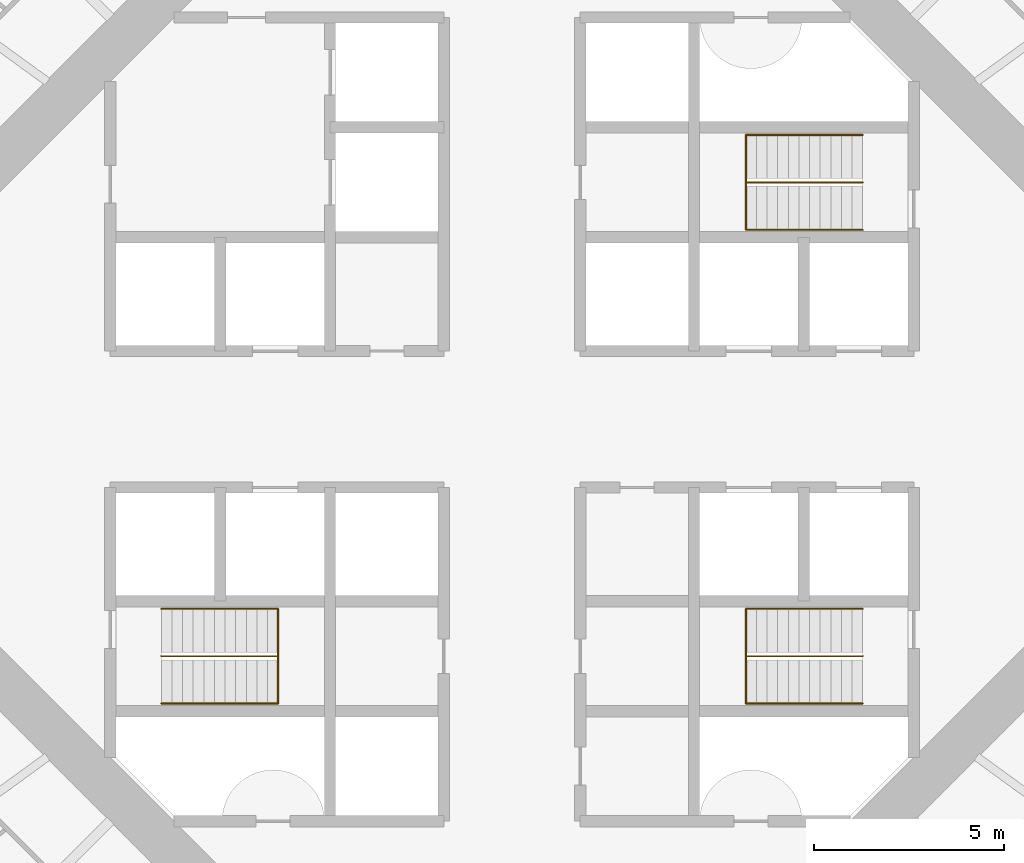
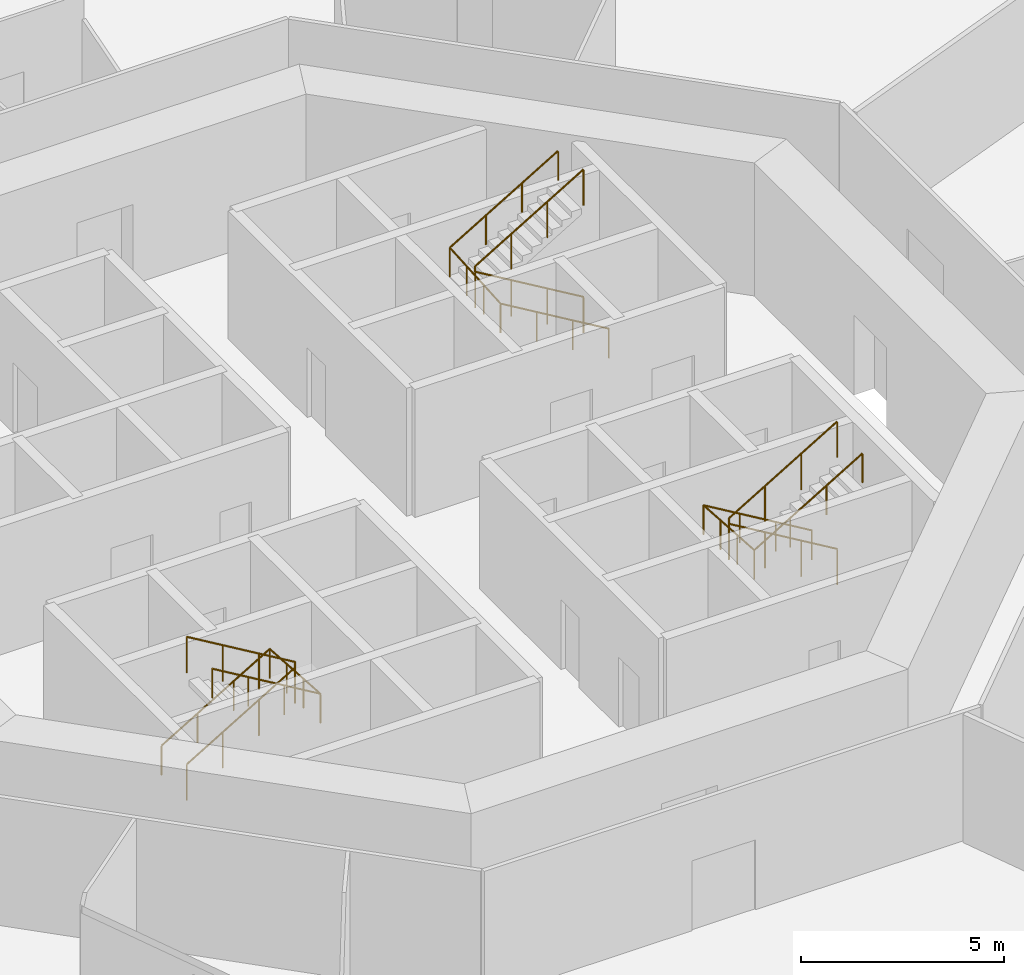
# One storey, part 13 of 13: 6 railings.
"""IFC4 building model written with IfcOpenShell, lengths in metres."""

from ifc_helpers import new_model, si_unit, direction, frame, origin, origin_2d, place, context, subcontext, project, spatial, circle, extrude, material, type_object, element, save


model = new_model("IFC4")

# Units and contexts
model_context = context("Model", 3, precision=1e-05, world=origin(), true_north=direction((0.0, 1.0)))
body_context = subcontext(model_context, "Body", "Model", "MODEL_VIEW")
ifc_project = project(units=[si_unit("LENGTHUNIT", "METRE"), si_unit("AREAUNIT", "SQUARE_METRE"), si_unit("VOLUMEUNIT", "CUBIC_METRE"), si_unit("PLANEANGLEUNIT", "RADIAN"), si_unit("MASSUNIT", "GRAM", prefix="KILO")], contexts=[model_context])

# Site, building, storey
site_placement = place(None, origin())
site = spatial("IfcSite", under=ifc_project, at=site_placement, CompositionType="ELEMENT")
building_placement = place(site_placement, origin())
building = spatial("IfcBuilding", under=site, at=building_placement, Name="Entoto Ring Tower", CompositionType="ELEMENT")
storey_placement = place(building_placement, frame((0.0, 0.0, 108.0)))
storey = spatial("IfcBuildingStorey", under=building, at=storey_placement, Name="L24", CompositionType="ELEMENT", Elevation=108.0)

# Railings
ifc_material_1 = material(Name="Steel S275", Category="steel")
railing_type_1 = type_object("IfcRailingType", Name="Stair guard 1100 mm steel", PredefinedType="GUARDRAIL", material=ifc_material_1)
railing_1_placement = place(storey_placement, frame((99.25, 86.25, 0.166748046875)))
element("IfcRailing", 1, at=railing_1_placement, inside=storey, type_object=railing_type_1, Name="Guard ST1", PredefinedType="GUARDRAIL", context=body_context, shape_type="SweptSolid", body=[
    extrude(circle(Radius=0.02392578125, at=origin_2d()), frame((0.0, 0.0, 1.076171875), z_axis=(-0.859308565015, 0.0, 0.511457515432), x_axis=(0.0, -1.0, 0.0)), (0.0, 0.0, 1.0), 3.58447265625),
    extrude(circle(Radius=0.02392578125, at=origin_2d()), frame((-3.080078125, 0.0, 2.9091796875), z_axis=(0.0, 0.0, 1.0), x_axis=(1.0, 0.0, 0.0)), (0.0, 0.0, 1.0), 0.166748046875),
    extrude(circle(Radius=0.02392578125, at=origin_2d()), frame((-3.080078125, 0.0, 3.076171875), z_axis=(0.859308565015, 0.0, 0.511457515432), x_axis=(0.0, 1.0, 0.0)), (0.0, 0.0, 1.0), 3.58447265625),
    extrude(circle(Radius=0.02099609375, at=origin_2d()), origin(), (0.0, 0.0, 1.0), 1.052001953125),
    extrude(circle(Radius=0.02099609375, at=origin_2d()), frame((-1.026611328125, 0.0, 0.611083984375)), (0.0, 0.0, 1.0), 1.052001953125),
    extrude(circle(Radius=0.02099609375, at=origin_2d()), frame((-2.053466796875, 0.0, 1.22216796875)), (0.0, 0.0, 1.0), 1.052001953125),
    extrude(circle(Radius=0.02099609375, at=origin_2d()), frame((-3.080078125, 0.0, 1.833251953125)), (0.0, 0.0, 1.0), 1.052001953125),
    extrude(circle(Radius=0.02099609375, at=origin_2d()), frame((-3.080078125, 0.0, 2.0)), (0.0, 0.0, 1.0), 1.052001953125),
    extrude(circle(Radius=0.02099609375, at=origin_2d()), frame((-2.053466796875, 0.0, 2.611083984375)), (0.0, 0.0, 1.0), 1.052001953125),
    extrude(circle(Radius=0.02099609375, at=origin_2d()), frame((-1.026611328125, 0.0, 3.22216796875)), (0.0, 0.0, 1.0), 1.052001953125),
    extrude(circle(Radius=0.02099609375, at=origin_2d()), frame((0.0, 0.0, 3.833251953125)), (0.0, 0.0, 1.0), 1.052001953125),
])
railing_2_placement = place(storey_placement, frame((80.75, 73.75, 0.166748046875)))
element("IfcRailing", 2, at=railing_2_placement, inside=storey, type_object=railing_type_1, Name="Guard ST2", PredefinedType="GUARDRAIL", context=body_context, shape_type="SweptSolid", body=[
    extrude(circle(Radius=0.02392578125, at=origin_2d()), frame((0.0, 0.0, 1.076171875), z_axis=(0.859308565015, 0.0, 0.511457515432), x_axis=(0.0, 1.0, 0.0)), (0.0, 0.0, 1.0), 3.58447265625),
    extrude(circle(Radius=0.02392578125, at=origin_2d()), frame((3.080078125, 0.0, 2.9091796875), z_axis=(0.0, 0.0, 1.0), x_axis=(1.0, 0.0, 0.0)), (0.0, 0.0, 1.0), 0.166748046875),
    extrude(circle(Radius=0.02392578125, at=origin_2d()), frame((3.080078125, 0.0, 3.076171875), z_axis=(-0.859308565015, 0.0, 0.511457515432), x_axis=(0.0, -1.0, 0.0)), (0.0, 0.0, 1.0), 3.58447265625),
    extrude(circle(Radius=0.02099609375, at=origin_2d()), origin(), (0.0, 0.0, 1.0), 1.052001953125),
    extrude(circle(Radius=0.02099609375, at=origin_2d()), frame((1.026611328125, 0.0, 0.611083984375)), (0.0, 0.0, 1.0), 1.052001953125),
    extrude(circle(Radius=0.02099609375, at=origin_2d()), frame((2.053466796875, 0.0, 1.22216796875)), (0.0, 0.0, 1.0), 1.052001953125),
    extrude(circle(Radius=0.02099609375, at=origin_2d()), frame((3.080078125, 0.0, 1.833251953125)), (0.0, 0.0, 1.0), 1.052001953125),
    extrude(circle(Radius=0.02099609375, at=origin_2d()), frame((3.080078125, 0.0, 2.0)), (0.0, 0.0, 1.0), 1.052001953125),
    extrude(circle(Radius=0.02099609375, at=origin_2d()), frame((2.053466796875, 0.0, 2.611083984375)), (0.0, 0.0, 1.0), 1.052001953125),
    extrude(circle(Radius=0.02099609375, at=origin_2d()), frame((1.026611328125, 0.0, 3.22216796875)), (0.0, 0.0, 1.0), 1.052001953125),
    extrude(circle(Radius=0.02099609375, at=origin_2d()), frame((0.0, 0.0, 3.833251953125)), (0.0, 0.0, 1.0), 1.052001953125),
])
railing_3_placement = place(storey_placement, frame((99.25, 73.75, 0.166748046875)))
element("IfcRailing", 3, at=railing_3_placement, inside=storey, type_object=railing_type_1, Name="Guard ST3", PredefinedType="GUARDRAIL", context=body_context, shape_type="SweptSolid", body=[
    extrude(circle(Radius=0.02392578125, at=origin_2d()), frame((0.0, 0.0, 1.076171875), z_axis=(-0.859308565015, 0.0, 0.511457515432), x_axis=(0.0, -1.0, 0.0)), (0.0, 0.0, 1.0), 3.58447265625),
    extrude(circle(Radius=0.02392578125, at=origin_2d()), frame((-3.080078125, 0.0, 2.9091796875), z_axis=(0.0, 0.0, 1.0), x_axis=(1.0, 0.0, 0.0)), (0.0, 0.0, 1.0), 0.166748046875),
    extrude(circle(Radius=0.02392578125, at=origin_2d()), frame((-3.080078125, 0.0, 3.076171875), z_axis=(0.859308565015, 0.0, 0.511457515432), x_axis=(0.0, 1.0, 0.0)), (0.0, 0.0, 1.0), 3.58447265625),
    extrude(circle(Radius=0.02099609375, at=origin_2d()), origin(), (0.0, 0.0, 1.0), 1.052001953125),
    extrude(circle(Radius=0.02099609375, at=origin_2d()), frame((-1.026611328125, 0.0, 0.611083984375)), (0.0, 0.0, 1.0), 1.052001953125),
    extrude(circle(Radius=0.02099609375, at=origin_2d()), frame((-2.053466796875, 0.0, 1.22216796875)), (0.0, 0.0, 1.0), 1.052001953125),
    extrude(circle(Radius=0.02099609375, at=origin_2d()), frame((-3.080078125, 0.0, 1.833251953125)), (0.0, 0.0, 1.0), 1.052001953125),
    extrude(circle(Radius=0.02099609375, at=origin_2d()), frame((-3.080078125, 0.0, 2.0)), (0.0, 0.0, 1.0), 1.052001953125),
    extrude(circle(Radius=0.02099609375, at=origin_2d()), frame((-2.053466796875, 0.0, 2.611083984375)), (0.0, 0.0, 1.0), 1.052001953125),
    extrude(circle(Radius=0.02099609375, at=origin_2d()), frame((-1.026611328125, 0.0, 3.22216796875)), (0.0, 0.0, 1.0), 1.052001953125),
    extrude(circle(Radius=0.02099609375, at=origin_2d()), frame((0.0, 0.0, 3.833251953125)), (0.0, 0.0, 1.0), 1.052001953125),
])
ifc_material_2 = material(Name="Steel S275", Category="steel")
railing_type_2 = type_object("IfcRailingType", Name="Stair handrail 900 mm steel", PredefinedType="HANDRAIL", material=ifc_material_2)
railing_4_placement = place(storey_placement, frame((99.25, 85.0, 0.166748046875)))
element("IfcRailing", 4, at=railing_4_placement, inside=storey, type_object=railing_type_2, Name="Handrail ST1", PredefinedType="HANDRAIL", context=body_context, shape_type="SweptSolid", body=[
    extrude(circle(Radius=0.02392578125, at=origin_2d()), frame((0.0, 0.0, 0.8759765625), z_axis=(-0.859308565015, 0.0, 0.511457515432), x_axis=(0.0, -1.0, 0.0)), (0.0, 0.0, 1.0), 3.58447265625),
    extrude(circle(Radius=0.02392578125, at=origin_2d()), frame((-3.080078125, 0.0, 2.708984375), z_axis=(0.0, 0.997783001586, 0.066551346688), x_axis=(-1.0, 0.0, 0.0)), (0.0, 0.0, 1.0), 2.505615234375),
    extrude(circle(Radius=0.02392578125, at=origin_2d()), frame((-3.080078125, 2.5, 2.8759765625), z_axis=(0.859308565015, 0.0, 0.511457515432), x_axis=(0.0, 1.0, 0.0)), (0.0, 0.0, 1.0), 3.58447265625),
    extrude(circle(Radius=0.02099609375, at=origin_2d()), origin(), (0.0, 0.0, 1.0), 0.851806640625),
    extrude(circle(Radius=0.02099609375, at=origin_2d()), frame((-1.026611328125, 0.0, 0.611083984375)), (0.0, 0.0, 1.0), 0.851806640625),
    extrude(circle(Radius=0.02099609375, at=origin_2d()), frame((-2.053466796875, 0.0, 1.22216796875)), (0.0, 0.0, 1.0), 0.851806640625),
    extrude(circle(Radius=0.02099609375, at=origin_2d()), frame((-3.080078125, 0.0, 1.833251953125)), (0.0, 0.0, 1.0), 0.851806640625),
    extrude(circle(Radius=0.02099609375, at=origin_2d()), frame((-3.080078125, 0.833251953125, 1.888916015625)), (0.0, 0.0, 1.0), 0.851806640625),
    extrude(circle(Radius=0.02099609375, at=origin_2d()), frame((-3.080078125, 1.666748046875, 1.9443359375)), (0.0, 0.0, 1.0), 0.851806640625),
    extrude(circle(Radius=0.02099609375, at=origin_2d()), frame((-3.080078125, 2.5, 2.0)), (0.0, 0.0, 1.0), 0.851806640625),
    extrude(circle(Radius=0.02099609375, at=origin_2d()), frame((-2.053466796875, 2.5, 2.611083984375)), (0.0, 0.0, 1.0), 0.851806640625),
    extrude(circle(Radius=0.02099609375, at=origin_2d()), frame((-1.026611328125, 2.5, 3.22216796875)), (0.0, 0.0, 1.0), 0.851806640625),
    extrude(circle(Radius=0.02099609375, at=origin_2d()), frame((0.0, 2.5, 3.833251953125)), (0.0, 0.0, 1.0), 0.851806640625),
])
railing_5_placement = place(storey_placement, frame((80.75, 75.0, 0.166748046875)))
element("IfcRailing", 5, at=railing_5_placement, inside=storey, type_object=railing_type_2, Name="Handrail ST2", PredefinedType="HANDRAIL", context=body_context, shape_type="SweptSolid", body=[
    extrude(circle(Radius=0.02392578125, at=origin_2d()), frame((0.0, 0.0, 0.8759765625), z_axis=(0.859308565015, 0.0, 0.511457515432), x_axis=(0.0, 1.0, 0.0)), (0.0, 0.0, 1.0), 3.58447265625),
    extrude(circle(Radius=0.02392578125, at=origin_2d()), frame((3.080078125, 0.0, 2.708984375), z_axis=(0.0, -0.997783001586, 0.066551346688), x_axis=(1.0, 0.0, 0.0)), (0.0, 0.0, 1.0), 2.505615234375),
    extrude(circle(Radius=0.02392578125, at=origin_2d()), frame((3.080078125, -2.5, 2.8759765625), z_axis=(-0.859308565015, 0.0, 0.511457515432), x_axis=(0.0, -1.0, 0.0)), (0.0, 0.0, 1.0), 3.58447265625),
    extrude(circle(Radius=0.02099609375, at=origin_2d()), origin(), (0.0, 0.0, 1.0), 0.851806640625),
    extrude(circle(Radius=0.02099609375, at=origin_2d()), frame((1.026611328125, 0.0, 0.611083984375)), (0.0, 0.0, 1.0), 0.851806640625),
    extrude(circle(Radius=0.02099609375, at=origin_2d()), frame((2.053466796875, 0.0, 1.22216796875)), (0.0, 0.0, 1.0), 0.851806640625),
    extrude(circle(Radius=0.02099609375, at=origin_2d()), frame((3.080078125, 0.0, 1.833251953125)), (0.0, 0.0, 1.0), 0.851806640625),
    extrude(circle(Radius=0.02099609375, at=origin_2d()), frame((3.080078125, -0.833251953125, 1.888916015625)), (0.0, 0.0, 1.0), 0.851806640625),
    extrude(circle(Radius=0.02099609375, at=origin_2d()), frame((3.080078125, -1.666748046875, 1.9443359375)), (0.0, 0.0, 1.0), 0.851806640625),
    extrude(circle(Radius=0.02099609375, at=origin_2d()), frame((3.080078125, -2.5, 2.0)), (0.0, 0.0, 1.0), 0.851806640625),
    extrude(circle(Radius=0.02099609375, at=origin_2d()), frame((2.053466796875, -2.5, 2.611083984375)), (0.0, 0.0, 1.0), 0.851806640625),
    extrude(circle(Radius=0.02099609375, at=origin_2d()), frame((1.026611328125, -2.5, 3.22216796875)), (0.0, 0.0, 1.0), 0.851806640625),
    extrude(circle(Radius=0.02099609375, at=origin_2d()), frame((0.0, -2.5, 3.833251953125)), (0.0, 0.0, 1.0), 0.851806640625),
])
railing_6_placement = place(storey_placement, frame((99.25, 75.0, 0.166748046875)))
element("IfcRailing", 6, at=railing_6_placement, inside=storey, type_object=railing_type_2, Name="Handrail ST3", PredefinedType="HANDRAIL", context=body_context, shape_type="SweptSolid", body=[
    extrude(circle(Radius=0.02392578125, at=origin_2d()), frame((0.0, 0.0, 0.8759765625), z_axis=(-0.859308565015, 0.0, 0.511457515432), x_axis=(0.0, -1.0, 0.0)), (0.0, 0.0, 1.0), 3.58447265625),
    extrude(circle(Radius=0.02392578125, at=origin_2d()), frame((-3.080078125, 0.0, 2.708984375), z_axis=(0.0, -0.997783001586, 0.066551346688), x_axis=(1.0, 0.0, 0.0)), (0.0, 0.0, 1.0), 2.505615234375),
    extrude(circle(Radius=0.02392578125, at=origin_2d()), frame((-3.080078125, -2.5, 2.8759765625), z_axis=(0.859308565015, 0.0, 0.511457515432), x_axis=(0.0, 1.0, 0.0)), (0.0, 0.0, 1.0), 3.58447265625),
    extrude(circle(Radius=0.02099609375, at=origin_2d()), origin(), (0.0, 0.0, 1.0), 0.851806640625),
    extrude(circle(Radius=0.02099609375, at=origin_2d()), frame((-1.026611328125, 0.0, 0.611083984375)), (0.0, 0.0, 1.0), 0.851806640625),
    extrude(circle(Radius=0.02099609375, at=origin_2d()), frame((-2.053466796875, 0.0, 1.22216796875)), (0.0, 0.0, 1.0), 0.851806640625),
    extrude(circle(Radius=0.02099609375, at=origin_2d()), frame((-3.080078125, 0.0, 1.833251953125)), (0.0, 0.0, 1.0), 0.851806640625),
    extrude(circle(Radius=0.02099609375, at=origin_2d()), frame((-3.080078125, -0.833251953125, 1.888916015625)), (0.0, 0.0, 1.0), 0.851806640625),
    extrude(circle(Radius=0.02099609375, at=origin_2d()), frame((-3.080078125, -1.666748046875, 1.9443359375)), (0.0, 0.0, 1.0), 0.851806640625),
    extrude(circle(Radius=0.02099609375, at=origin_2d()), frame((-3.080078125, -2.5, 2.0)), (0.0, 0.0, 1.0), 0.851806640625),
    extrude(circle(Radius=0.02099609375, at=origin_2d()), frame((-2.053466796875, -2.5, 2.611083984375)), (0.0, 0.0, 1.0), 0.851806640625),
    extrude(circle(Radius=0.02099609375, at=origin_2d()), frame((-1.026611328125, -2.5, 3.22216796875)), (0.0, 0.0, 1.0), 0.851806640625),
    extrude(circle(Radius=0.02099609375, at=origin_2d()), frame((0.0, -2.5, 3.833251953125)), (0.0, 0.0, 1.0), 0.851806640625),
])

save(model, "model.ifc")
